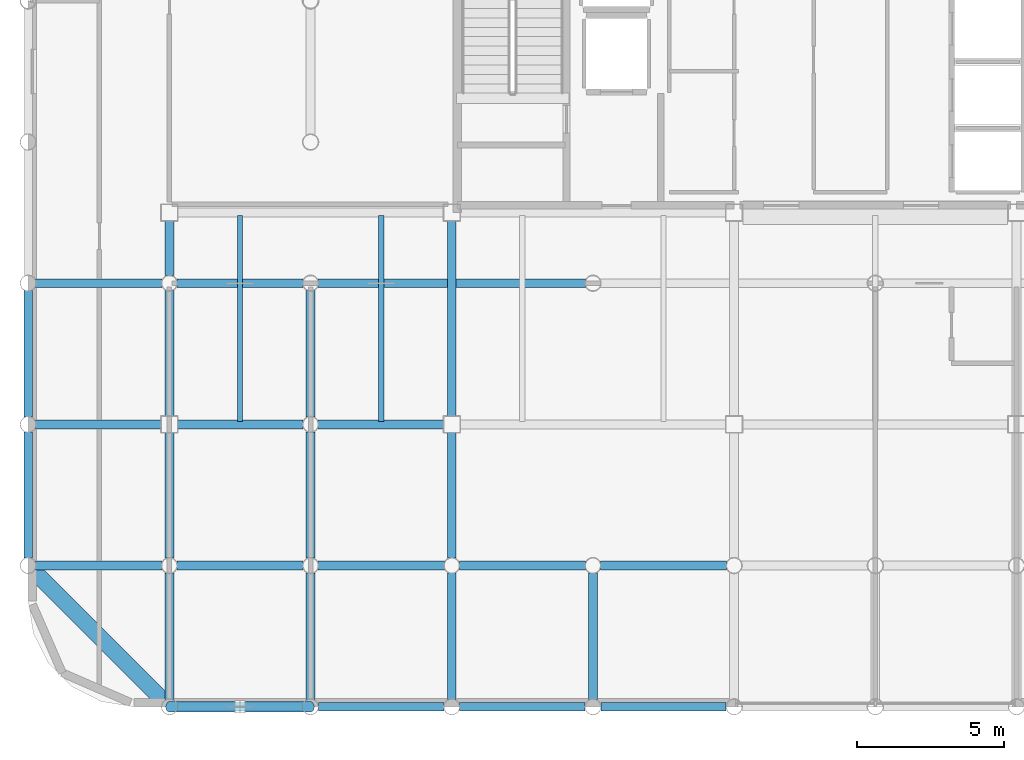
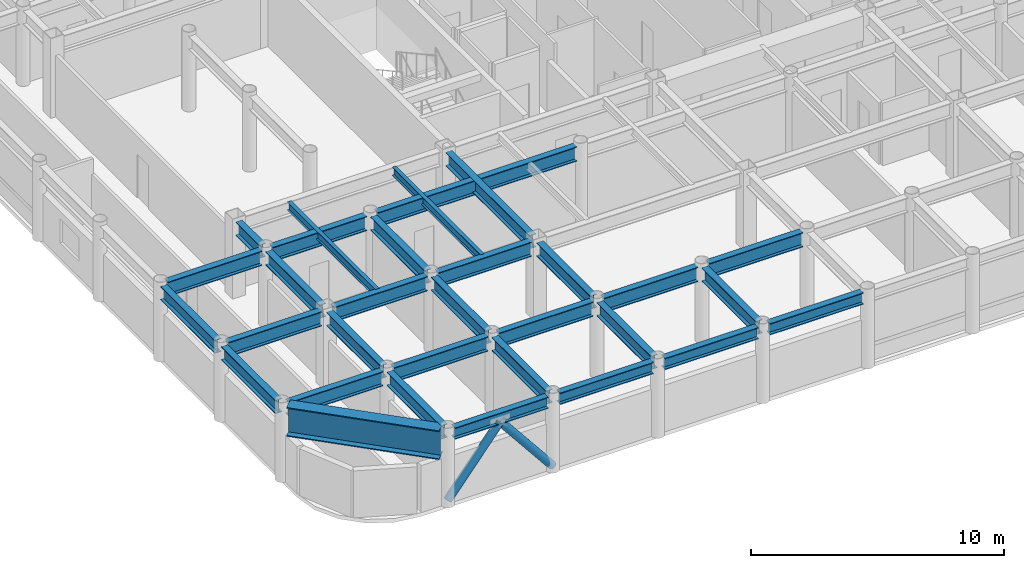
# One storey, part 3 of 22: 31 beams, 2 members.
"""IFC4 building model written with IfcOpenShell, lengths in metres."""

from ifc_helpers import new_model, si_unit, direction, frame, origin, origin_2d, place, context, subcontext, project, spatial, hollow_circle, i_section, extrude, material, material_profile, profile_set, type_object, element, save


model = new_model("IFC4")

# Units and contexts
model_context = context("Model", 3, precision=1e-05, world=origin(), true_north=direction((0.0, 1.0)))
body_context = subcontext(model_context, "Body", "Model", "MODEL_VIEW")
ifc_project = project(units=[si_unit("LENGTHUNIT", "METRE"), si_unit("AREAUNIT", "SQUARE_METRE"), si_unit("VOLUMEUNIT", "CUBIC_METRE"), si_unit("PLANEANGLEUNIT", "RADIAN"), si_unit("MASSUNIT", "GRAM", prefix="KILO")], contexts=[model_context])

# Site, building, storey
site_placement = place(None, origin())
site = spatial("IfcSite", under=ifc_project, at=site_placement, CompositionType="ELEMENT")
building_placement = place(site_placement, origin())
building = spatial("IfcBuilding", under=site, at=building_placement, Name="Kallvorn Hotel Tower", CompositionType="ELEMENT")
storey_placement = place(building_placement, frame((0.0, 0.0, 206.89990234375)))
storey = spatial("IfcBuildingStorey", under=building, at=storey_placement, Name="L51", CompositionType="ELEMENT", Elevation=206.89990234375)

# Beams
ifc_material_1 = material(Name="Structural steel S355JR", Category="steel")
ifc_material_profile_1 = material_profile(ifc_material_1, i_section(OverallWidth=0.300048828125, OverallDepth=0.550048828125, WebThickness=0.014892578125, FlangeThickness=0.029052734375, at=origin_2d()), Name="HE 550 B")
ifc_profile_set_1 = profile_set([ifc_material_profile_1], Name="Structural steel S355JR")
beam_type_1 = type_object("IfcBeamType", Name="BM_HE550B", PredefinedType="SPANDREL", material=ifc_profile_set_1)
for number, where, z_axis, x_axis, name in (
    (1, (-23.73046875, -24.0, 3.39501953125), (1.0, 0.0, 0.0), (0.0, 1.0, 0.0), "L52 Perimeter Spandrel 151"),
    (2, (-18.930419921875, -24.0, 3.39501953125), (1.0, 0.0, 0.0), (0.0, 1.0, 0.0), "L52 Perimeter Spandrel 152"),
):
    element("IfcBeam", number, at=place(storey_placement, frame(where, z_axis=z_axis, x_axis=x_axis)), inside=storey, type_object=beam_type_1, Name=name, PredefinedType="SPANDREL", context=body_context, shape_type="SweptSolid", body=[
        extrude(i_section(OverallWidth=0.300048828125, OverallDepth=0.550048828125, WebThickness=0.014892578125, FlangeThickness=0.029052734375, at=origin_2d()), origin(), (0.0, 0.0, 1.0), 4.260986328125),
    ])
beam_1_placement = place(storey_placement, frame((-14.130615234375, -24.0, 3.39501953125), z_axis=(1.0, 0.0, 0.0), x_axis=(0.0, 1.0, 0.0)))
element("IfcBeam", 3, at=beam_1_placement, inside=storey, type_object=beam_type_1, Name="L52 Perimeter Spandrel 153", PredefinedType="SPANDREL", context=body_context, shape_type="SweptSolid", body=[
    extrude(i_section(OverallWidth=0.300048828125, OverallDepth=0.550048828125, WebThickness=0.014892578125, FlangeThickness=0.029052734375, at=origin_2d()), origin(), (0.0, 0.0, 1.0), 4.26123046875),
])
beam_2_placement = place(storey_placement, frame((-9.33056640625, -24.0, 3.39501953125), z_axis=(1.0, 0.0, 0.0), x_axis=(0.0, 1.0, 0.0)))
element("IfcBeam", 4, at=beam_2_placement, inside=storey, type_object=beam_type_1, Name="L52 Perimeter Spandrel 154", PredefinedType="SPANDREL", context=body_context, shape_type="SweptSolid", body=[
    extrude(i_section(OverallWidth=0.300048828125, OverallDepth=0.550048828125, WebThickness=0.014892578125, FlangeThickness=0.029052734375, at=origin_2d()), origin(), (0.0, 0.0, 1.0), 4.260986328125),
])
ifc_material_2 = material(Name="Structural steel S355JR", Category="steel")
ifc_material_profile_2 = material_profile(ifc_material_2, i_section(OverallWidth=0.300048828125, OverallDepth=0.64990234375, WebThickness=0.01611328125, FlangeThickness=0.031005859375, at=origin_2d()), Name="HE 650 B")
ifc_profile_set_2 = profile_set([ifc_material_profile_2], Name="Structural steel S355JR")
beam_type_2 = type_object("IfcBeamType", Name="BM_HE650B", PredefinedType="BEAM", material=ifc_profile_set_2)
for number, where, z_axis, x_axis, name in (
    (5, (-28.800048828125, -18.945556640625, 3.34521484375), (0.0, 1.0, 0.0), (-1.0, 0.0, 0.0), "L52 Primary Y-Girder 73"),
    (6, (-28.800048828125, -14.1455078125, 3.34521484375), (0.0, 1.0, 0.0), (-1.0, 0.0, 0.0), "L52 Primary Y-Girder 74"),
    (7, (-24.0, -23.74560546875, 3.34521484375), (0.0, 1.0, 0.0), (-1.0, 0.0, 0.0), "L52 Primary Y-Girder 81"),
):
    element("IfcBeam", number, at=place(storey_placement, frame(where, z_axis=z_axis, x_axis=x_axis)), inside=storey, type_object=beam_type_2, Name=name, PredefinedType="BEAM", context=body_context, shape_type="SweptSolid", body=[
        extrude(i_section(OverallWidth=0.300048828125, OverallDepth=0.64990234375, WebThickness=0.01611328125, FlangeThickness=0.031005859375, at=origin_2d()), origin(), (0.0, 0.0, 1.0), 4.291015625),
    ])
for number, where, z_axis, x_axis, name in (
    (8, (-24.0, -18.945556640625, 3.34521484375), (0.0, 1.0, 0.0), (-1.0, 0.0, 0.0), "L52 Primary Y-Girder 82"),
    (9, (-24.0, -14.125, 3.34521484375), (0.0, 1.0, 0.0), (-1.0, 0.0, 0.0), "L52 Primary Y-Girder 83"),
):
    element("IfcBeam", number, at=place(storey_placement, frame(where, z_axis=z_axis, x_axis=x_axis)), inside=storey, type_object=beam_type_2, Name=name, PredefinedType="BEAM", context=body_context, shape_type="SweptSolid", body=[
        extrude(i_section(OverallWidth=0.300048828125, OverallDepth=0.64990234375, WebThickness=0.01611328125, FlangeThickness=0.031005859375, at=origin_2d()), origin(), (0.0, 0.0, 1.0), 4.2705078125),
    ])
beam_3_placement = place(storey_placement, frame((-24.0, -9.345458984375, 3.34521484375), z_axis=(0.0, 1.0, 0.0), x_axis=(-1.0, 0.0, 0.0)))
element("IfcBeam", 10, at=beam_3_placement, inside=storey, type_object=beam_type_2, Name="L52 Primary Y-Girder 84", PredefinedType="BEAM", context=body_context, shape_type="SweptSolid", body=[
    extrude(i_section(OverallWidth=0.300048828125, OverallDepth=0.64990234375, WebThickness=0.01611328125, FlangeThickness=0.031005859375, at=origin_2d()), origin(), (0.0, 0.0, 1.0), 1.870361328125),
])
for number, where, z_axis, x_axis, name in (
    (11, (-19.199951171875, -23.74560546875, 3.34521484375), (0.0, 1.0, 0.0), (-1.0, 0.0, 0.0), "L52 Primary Y-Girder 88"),
    (12, (-19.199951171875, -18.945556640625, 3.34521484375), (0.0, 1.0, 0.0), (-1.0, 0.0, 0.0), "L52 Primary Y-Girder 89"),
    (13, (-19.199951171875, -14.1455078125, 3.34521484375), (0.0, 1.0, 0.0), (-1.0, 0.0, 0.0), "L52 Primary Y-Girder 90"),
    (14, (-14.39990234375, -23.74560546875, 3.34521484375), (0.0, 1.0, 0.0), (-1.0, 0.0, 0.0), "L52 Primary Y-Girder 97"),
):
    element("IfcBeam", number, at=place(storey_placement, frame(where, z_axis=z_axis, x_axis=x_axis)), inside=storey, type_object=beam_type_2, Name=name, PredefinedType="BEAM", context=body_context, shape_type="SweptSolid", body=[
        extrude(i_section(OverallWidth=0.300048828125, OverallDepth=0.64990234375, WebThickness=0.01611328125, FlangeThickness=0.031005859375, at=origin_2d()), origin(), (0.0, 0.0, 1.0), 4.291015625),
    ])
beam_4_placement = place(storey_placement, frame((-14.39990234375, -18.945556640625, 3.34521484375), z_axis=(0.0, 1.0, 0.0), x_axis=(-1.0, 0.0, 0.0)))
element("IfcBeam", 15, at=beam_4_placement, inside=storey, type_object=beam_type_2, Name="L52 Primary Y-Girder 98", PredefinedType="BEAM", context=body_context, shape_type="SweptSolid", body=[
    extrude(i_section(OverallWidth=0.300048828125, OverallDepth=0.64990234375, WebThickness=0.01611328125, FlangeThickness=0.031005859375, at=origin_2d()), origin(), (0.0, 0.0, 1.0), 4.2705078125),
])
beam_5_placement = place(storey_placement, frame((-14.39990234375, -14.125, 3.34521484375), z_axis=(0.0, 1.0, 0.0), x_axis=(-1.0, 0.0, 0.0)))
element("IfcBeam", 16, at=beam_5_placement, inside=storey, type_object=beam_type_2, Name="L52 Primary Y-Girder 99", PredefinedType="BEAM", context=body_context, shape_type="SweptSolid", body=[
    extrude(i_section(OverallWidth=0.300048828125, OverallDepth=0.64990234375, WebThickness=0.01611328125, FlangeThickness=0.031005859375, at=origin_2d()), origin(), (0.0, 0.0, 1.0), 6.64990234375),
])
beam_6_placement = place(storey_placement, frame((-9.60009765625, -23.74560546875, 3.34521484375), z_axis=(0.0, 1.0, 0.0), x_axis=(-1.0, 0.0, 0.0)))
element("IfcBeam", 17, at=beam_6_placement, inside=storey, type_object=beam_type_2, Name="L52 Primary Y-Girder 102", PredefinedType="BEAM", context=body_context, shape_type="SweptSolid", body=[
    extrude(i_section(OverallWidth=0.300048828125, OverallDepth=0.64990234375, WebThickness=0.01611328125, FlangeThickness=0.031005859375, at=origin_2d()), origin(), (0.0, 0.0, 1.0), 4.291015625),
])
ifc_material_3 = material(Name="Structural steel S355JR", Category="steel")
ifc_material_profile_3 = material_profile(ifc_material_3, i_section(OverallWidth=0.300048828125, OverallDepth=0.699951171875, WebThickness=0.01708984375, FlangeThickness=0.031982421875, at=origin_2d()), Name="HE 700 B")
ifc_profile_set_3 = profile_set([ifc_material_profile_3], Name="Structural steel S355JR")
beam_type_3 = type_object("IfcBeamType", Name="BM_HE700B", PredefinedType="BEAM", material=ifc_profile_set_3)
for number, where, z_axis, x_axis, name in (
    (18, (-28.54541015625, -19.199951171875, 3.320068359375), (1.0, 0.0, 0.0), (0.0, 1.0, 0.0), "L52 Primary X-Girder 01"),
    (19, (-23.74560546875, -19.199951171875, 3.320068359375), (1.0, 0.0, 0.0), (0.0, 1.0, 0.0), "L52 Primary X-Girder 02"),
    (20, (-18.945556640625, -19.199951171875, 3.320068359375), (1.0, 0.0, 0.0), (0.0, 1.0, 0.0), "L52 Primary X-Girder 03"),
    (21, (-14.1455078125, -19.199951171875, 3.320068359375), (1.0, 0.0, 0.0), (0.0, 1.0, 0.0), "L52 Primary X-Girder 04"),
    (22, (-9.345458984375, -19.199951171875, 3.320068359375), (1.0, 0.0, 0.0), (0.0, 1.0, 0.0), "L52 Primary X-Girder 05"),
):
    element("IfcBeam", number, at=place(storey_placement, frame(where, z_axis=z_axis, x_axis=x_axis)), inside=storey, type_object=beam_type_3, Name=name, PredefinedType="BEAM", context=body_context, shape_type="SweptSolid", body=[
        extrude(i_section(OverallWidth=0.300048828125, OverallDepth=0.699951171875, WebThickness=0.01708984375, FlangeThickness=0.031982421875, at=origin_2d()), origin(), (0.0, 0.0, 1.0), 4.291015625),
    ])
for number, where, z_axis, x_axis, name in (
    (23, (-28.54541015625, -14.39990234375, 3.320068359375), (1.0, 0.0, 0.0), (0.0, 1.0, 0.0), "L52 Primary X-Girder 14"),
    (24, (-23.72509765625, -14.39990234375, 3.320068359375), (1.0, 0.0, 0.0), (0.0, 1.0, 0.0), "L52 Primary X-Girder 15"),
    (25, (-18.945556640625, -14.39990234375, 3.320068359375), (1.0, 0.0, 0.0), (0.0, 1.0, 0.0), "L52 Primary X-Girder 16"),
):
    element("IfcBeam", number, at=place(storey_placement, frame(where, z_axis=z_axis, x_axis=x_axis)), inside=storey, type_object=beam_type_3, Name=name, PredefinedType="BEAM", context=body_context, shape_type="SweptSolid", body=[
        extrude(i_section(OverallWidth=0.300048828125, OverallDepth=0.699951171875, WebThickness=0.01708984375, FlangeThickness=0.031982421875, at=origin_2d()), origin(), (0.0, 0.0, 1.0), 4.2705078125),
    ])
for number, where, z_axis, x_axis, name in (
    (26, (-28.54541015625, -9.60009765625, 3.320068359375), (1.0, 0.0, 0.0), (0.0, 1.0, 0.0), "L52 Primary X-Girder 24"),
    (27, (-23.74560546875, -9.60009765625, 3.320068359375), (1.0, 0.0, 0.0), (0.0, 1.0, 0.0), "L52 Primary X-Girder 25"),
):
    element("IfcBeam", number, at=place(storey_placement, frame(where, z_axis=z_axis, x_axis=x_axis)), inside=storey, type_object=beam_type_3, Name=name, PredefinedType="BEAM", context=body_context, shape_type="SweptSolid", body=[
        extrude(i_section(OverallWidth=0.300048828125, OverallDepth=0.699951171875, WebThickness=0.01708984375, FlangeThickness=0.031982421875, at=origin_2d()), origin(), (0.0, 0.0, 1.0), 4.291015625),
    ])
beam_7_placement = place(storey_placement, frame((-18.945556640625, -9.60009765625, 3.320068359375), z_axis=(1.0, 0.0, 0.0), x_axis=(0.0, 1.0, 0.0)))
element("IfcBeam", 28, at=beam_7_placement, inside=storey, type_object=beam_type_3, Name="L52 Primary X-Girder 26", PredefinedType="BEAM", context=body_context, shape_type="SweptSolid", body=[
    extrude(i_section(OverallWidth=0.300048828125, OverallDepth=0.699951171875, WebThickness=0.01708984375, FlangeThickness=0.031982421875, at=origin_2d()), origin(), (0.0, 0.0, 1.0), 9.091064453125),
])
ifc_material_4 = material(Name="Structural steel S355JR", Category="steel")
ifc_material_profile_4 = material_profile(ifc_material_4, i_section(OverallWidth=0.179931640625, OverallDepth=0.39990234375, WebThickness=0.008544921875, FlangeThickness=0.013427734375, at=origin_2d()), Name="IPE 400")
ifc_profile_set_4 = profile_set([ifc_material_profile_4], Name="Structural steel S355JR")
beam_type_4 = type_object("IfcBeamType", Name="BM_IPE400", PredefinedType="JOIST", material=ifc_profile_set_4)
for number, where, z_axis, x_axis, name in (
    (29, (-21.60009765625, -14.300048828125, 3.47021484375), (0.0, 1.0, 0.0), (-1.0, 0.0, 0.0), "L52 Secondary Composite Joist 192"),
    (30, (-16.800048828125, -14.300048828125, 3.47021484375), (0.0, 1.0, 0.0), (-1.0, 0.0, 0.0), "L52 Secondary Composite Joist 194"),
):
    element("IfcBeam", number, at=place(storey_placement, frame(where, z_axis=z_axis, x_axis=x_axis)), inside=storey, type_object=beam_type_4, Name=name, PredefinedType="JOIST", context=body_context, shape_type="SweptSolid", body=[
        extrude(i_section(OverallWidth=0.179931640625, OverallDepth=0.39990234375, WebThickness=0.008544921875, FlangeThickness=0.013427734375, at=origin_2d()), origin(), (0.0, 0.0, 1.0), 7.0),
    ])
ifc_material_5 = material(Name="Structural steel S355JR", Category="steel")
ifc_material_profile_5 = material_profile(ifc_material_5, i_section(OverallWidth=0.550048828125, OverallDepth=1.39990234375, WebThickness=0.02490234375, FlangeThickness=0.044921875, at=origin_2d()), Name="PG 1400x550x25x45")
ifc_profile_set_5 = profile_set([ifc_material_profile_5], Name="Structural steel S355JR")
beam_type_5 = type_object("IfcBeamType", Name="BM_PG_1400", PredefinedType="BEAM", material=ifc_profile_set_5)
beam_8_placement = place(storey_placement, frame((-28.609375, -19.390625, 2.97021484375), z_axis=(0.707106781187, -0.707106781187, 0.0), x_axis=(0.707106781187, 0.707106781187, 0.0)))
element("IfcBeam", 31, at=beam_8_placement, inside=storey, type_object=beam_type_5, Name="L52 Rounded Corner Tie Beam 189", PredefinedType="BEAM", context=body_context, shape_type="SweptSolid", body=[
    extrude(i_section(OverallWidth=0.550048828125, OverallDepth=1.39990234375, WebThickness=0.02490234375, FlangeThickness=0.044921875, at=origin_2d()), origin(), (0.0, 0.0, 1.0), 6.2490234375),
])

# Members
ifc_material_6 = material(Name="Structural steel S355J2H", Category="steel")
ifc_material_profile_6 = material_profile(ifc_material_6, hollow_circle(Radius=0.177734375, WallThickness=0.01416015625, at=origin_2d()), Name="CHS 355.6x14.2")
ifc_profile_set_6 = profile_set([ifc_material_profile_6], Name="Structural steel S355J2H")
member_type = type_object("IfcMemberType", Name="MBR_EXO_CHS355", PredefinedType="BRACE", material=ifc_profile_set_6)
for number, where, z_axis, x_axis, name in (
    (32, (-23.987548828125, -24.0, 0.19580078125), (0.627270878626, 0.0, 0.778801158722), (0.0, 1.0, 0.0), "L51 Exoskeleton K-Brace S1A"),
    (33, (-19.21240234375, -24.0, 0.19580078125), (-0.627270878626, 0.0, 0.778801158722), (0.0, -1.0, 0.0), "L51 Exoskeleton K-Brace S1B"),
):
    element("IfcMember", number, at=place(storey_placement, frame(where, z_axis=z_axis, x_axis=x_axis)), inside=storey, type_object=member_type, Name=name, PredefinedType="BRACE", context=body_context, shape_type="SweptSolid", body=[
        extrude(hollow_circle(Radius=0.177734375, WallThickness=0.01416015625, at=origin_2d()), origin(), (0.0, 0.0, 1.0), 3.7861328125),
    ])

save(model, "model.ifc")
